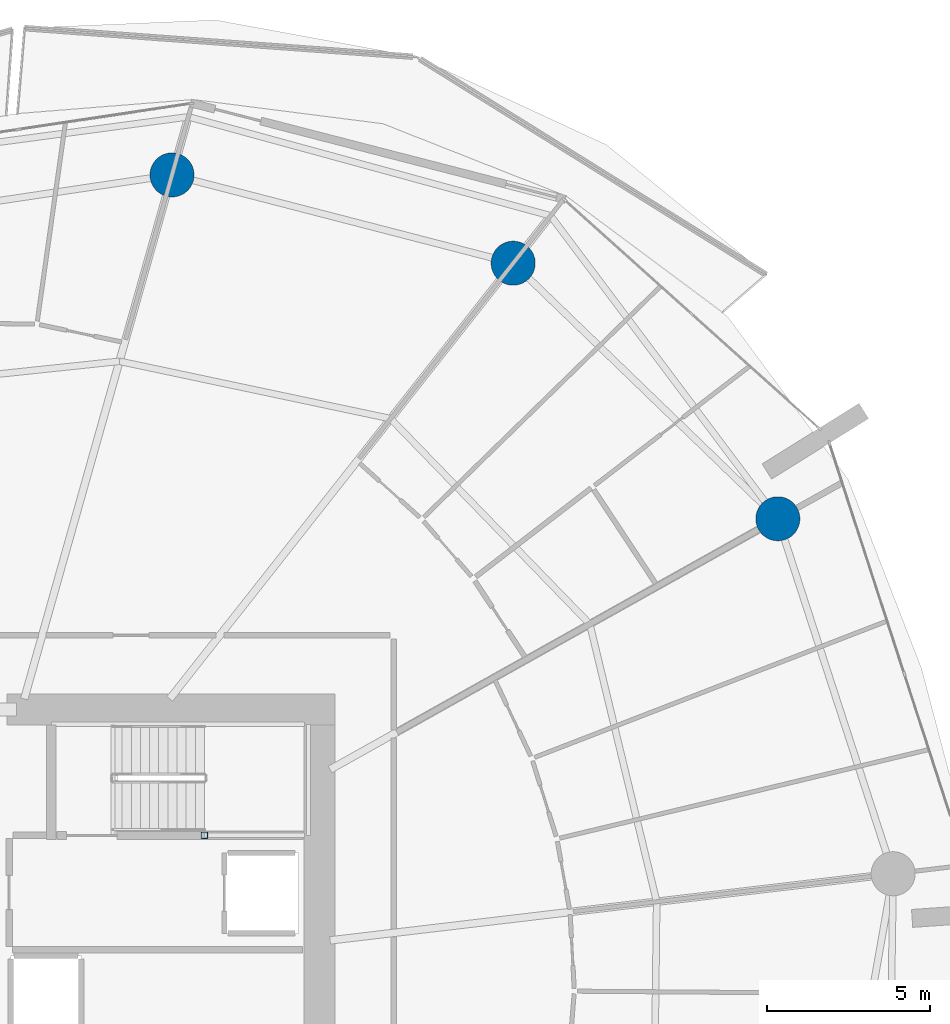
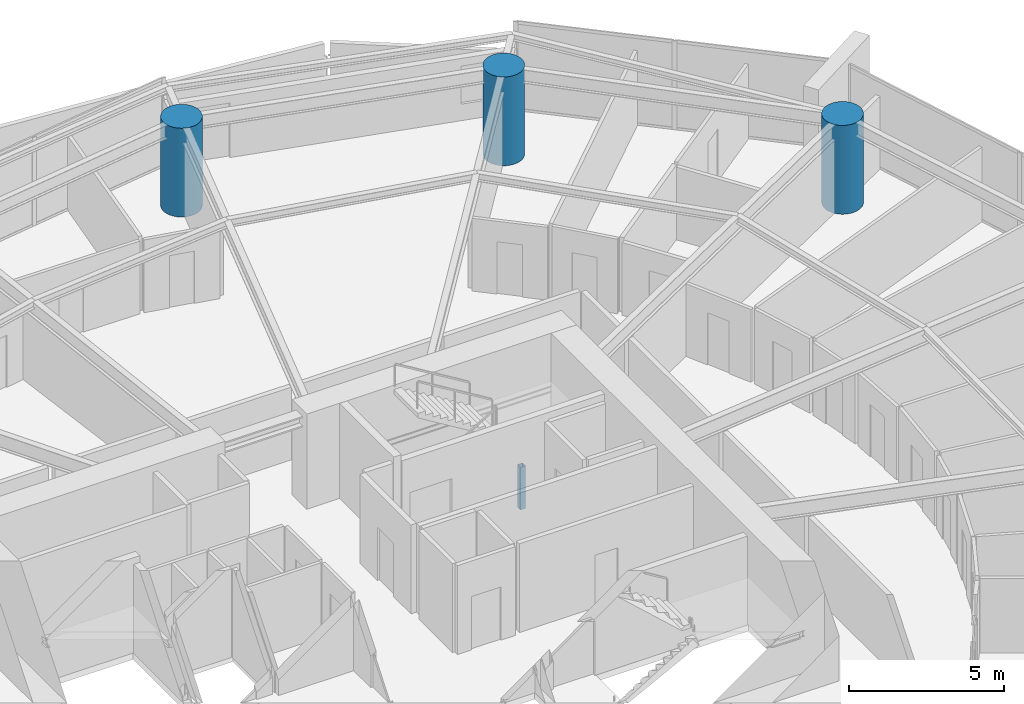
# One storey, part 5 of 32: 4 columns.
"""IFC4 building model written with IfcOpenShell, lengths in metres."""

from ifc_helpers import new_model, si_unit, direction, frame, origin, origin_2d, place, context, subcontext, project, spatial, hollow_rectangle, circle, extrude, material, material_profile, profile_set, type_object, element, save


model = new_model("IFC4")

# Units and contexts
model_context = context("Model", 3, precision=1e-05, world=origin(), true_north=direction((0.0, 1.0)))
body_context = subcontext(model_context, "Body", "Model", "MODEL_VIEW")
ifc_project = project(units=[si_unit("LENGTHUNIT", "METRE"), si_unit("AREAUNIT", "SQUARE_METRE"), si_unit("VOLUMEUNIT", "CUBIC_METRE"), si_unit("PLANEANGLEUNIT", "RADIAN"), si_unit("MASSUNIT", "GRAM", prefix="KILO")], contexts=[model_context])

# Site, building, storey
site_placement = place(None, origin())
site = spatial("IfcSite", under=ifc_project, at=site_placement, CompositionType="ELEMENT")
building_placement = place(site_placement, origin())
building = spatial("IfcBuilding", under=site, at=building_placement, Name="Kazma Halo Residences", CompositionType="ELEMENT")
storey_placement = place(building_placement, frame((0.0, 0.0, 63.89990234375)))
storey = spatial("IfcBuildingStorey", under=building, at=storey_placement, Name="L15", CompositionType="ELEMENT", Elevation=63.89990234375)

# Columns
ifc_material_1 = material(Name="Steel S355", Category="steel")
ifc_material_profile_1 = material_profile(ifc_material_1, hollow_rectangle(XDim=0.199951171875, YDim=0.199951171875, WallThickness=0.010009765625, InnerFilletRadius=0.010009765625, OuterFilletRadius=0.02001953125, at=origin_2d()), Name="SHS200x200x10")
ifc_profile_set_1 = profile_set([ifc_material_profile_1], Name="Steel S355")
column_type_1 = type_object("IfcColumnType", Name="COL-LP-SHS200", PredefinedType="COLUMN", material=ifc_profile_set_1)
column_placement = place(storey_placement, frame((56.0, 46.6201171875, 0.0), z_axis=(0.0, 0.0, 1.0), x_axis=(1.0, 0.0, 0.0)))
element("IfcColumn", 1, at=column_placement, inside=storey, type_object=column_type_1, Name="L15 ST-02 landing pilaster 1", PredefinedType="COLUMN", context=body_context, shape_type="SweptSolid", body=[
    extrude(hollow_rectangle(XDim=0.199951171875, YDim=0.199951171875, WallThickness=0.010009765625, InnerFilletRadius=0.010009765625, OuterFilletRadius=0.02001953125, at=origin_2d()), origin(), (0.0, 0.0, 1.0), 1.670166015625),
])
ifc_material_2 = material(Name="Concrete C80/95", Category="concrete")
ifc_material_profile_2 = material_profile(ifc_material_2, circle(Radius=0.675048828125, at=origin_2d()), Name="CIRC1350")
ifc_profile_set_2 = profile_set([ifc_material_profile_2], Name="Concrete C80/95")
column_type_2 = type_object("IfcColumnType", Name="COL-PERIM-1350", PredefinedType="COLUMN", material=ifc_profile_set_2)
for number, where, z_axis, x_axis, name in (
    (2, (73.56494140625, 56.317138671875, 0.0), (0.0, 0.0, 1.0), (1.0, 0.0, 0.0), "L15 perimeter ring column P01"),
    (3, (65.458251953125, 64.145751953125, 0.0), (0.0, 0.0, 1.0), (1.0, 0.0, 0.0), "L15 perimeter ring column P02"),
    (4, (55.00830078125, 66.849365234375, 0.0), (0.0, 0.0, 1.0), (1.0, 0.0, 0.0), "L15 perimeter ring column P03"),
):
    element("IfcColumn", number, at=place(storey_placement, frame(where, z_axis=z_axis, x_axis=x_axis)), inside=storey, type_object=column_type_2, Name=name, PredefinedType="COLUMN", context=body_context, shape_type="SweptSolid", body=[
        extrude(circle(Radius=0.675048828125, at=origin_2d()), origin(), (0.0, 0.0, 1.0), 3.5),
    ])

save(model, "model.ifc")
